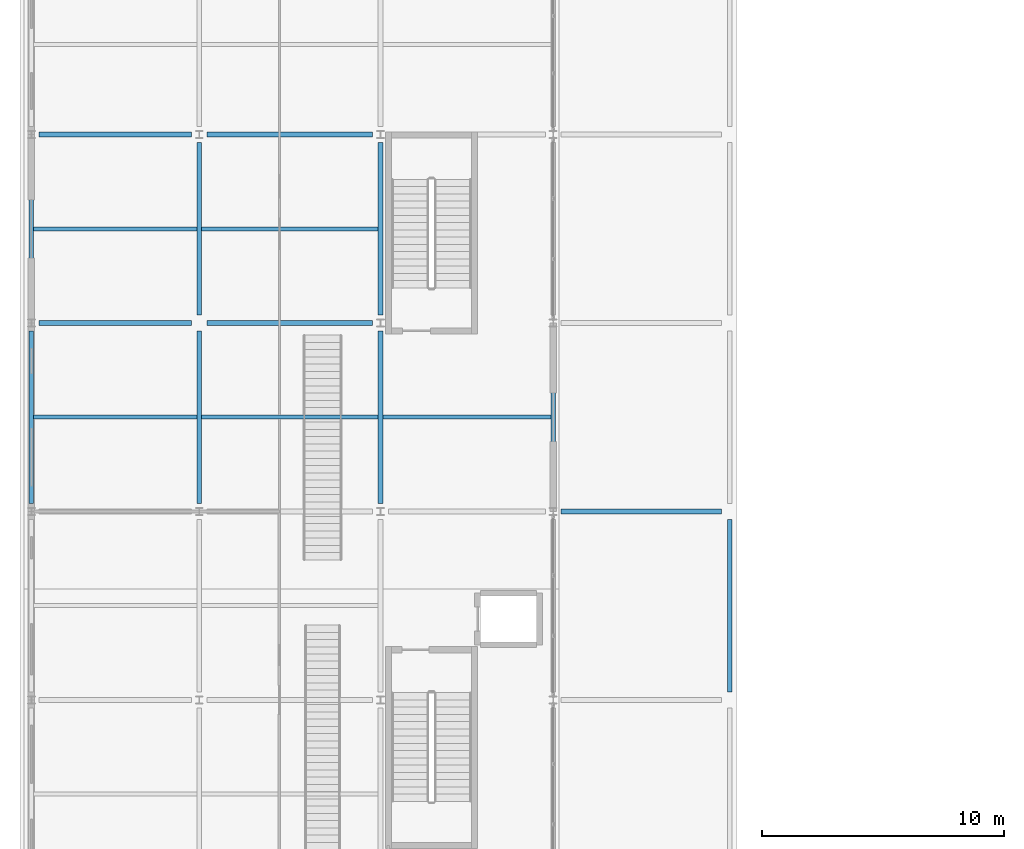
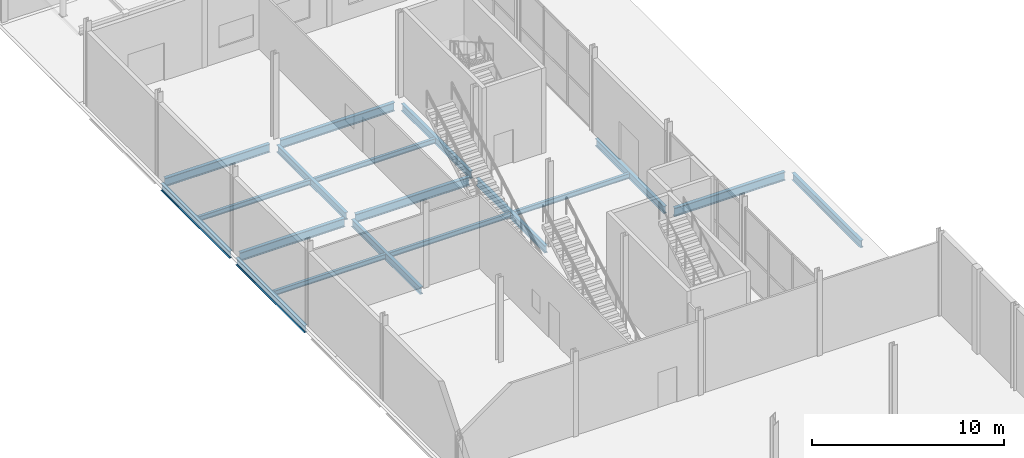
# One storey, part 17 of 83: 18 beams.
"""IFC4 building model written with IfcOpenShell, lengths in metres."""

from ifc_helpers import new_model, si_unit, direction, frame, origin, origin_2d, place, context, subcontext, project, spatial, i_section, extrude, material, material_profile, profile_set, type_object, element, save


model = new_model("IFC4")

# Units and contexts
model_context = context("Model", 3, precision=1e-05, world=origin(), true_north=direction((0.0, 1.0)))
body_context = subcontext(model_context, "Body", "Model", "MODEL_VIEW")
ifc_project = project(units=[si_unit("LENGTHUNIT", "METRE"), si_unit("AREAUNIT", "SQUARE_METRE"), si_unit("VOLUMEUNIT", "CUBIC_METRE"), si_unit("PLANEANGLEUNIT", "RADIAN"), si_unit("MASSUNIT", "GRAM", prefix="KILO")], contexts=[model_context])

# Site, building, storey
site_placement = place(None, origin())
site = spatial("IfcSite", under=ifc_project, at=site_placement, CompositionType="ELEMENT")
building_placement = place(site_placement, origin())
building = spatial("IfcBuilding", under=site, at=building_placement, Name="Quillay Park Conservatory", CompositionType="ELEMENT")
storey_placement = place(building_placement, origin())
storey = spatial("IfcBuildingStorey", under=building, at=storey_placement, Name="L00", CompositionType="ELEMENT", Elevation=0.0)

# Beams
ifc_material_1 = material(Name="Steel ASTM A992 Grade 50", Category="steel")
ifc_material_profile_1 = material_profile(ifc_material_1, i_section(OverallWidth=0.166015625, OverallDepth=0.31298828125, WebThickness=0.006591796875, FlangeThickness=0.01123046875, FilletRadius=0.010009765625, at=origin_2d()), Name="W310x45")
ifc_profile_set_1 = profile_set([ifc_material_profile_1], Name="Steel ASTM A992 Grade 50")
beam_type_1 = type_object("IfcBeamType", Name="COMPOSITE FLOOR JOIST W310 X45", PredefinedType="JOIST", material=ifc_profile_set_1)
beam_1_placement = place(storey_placement, frame((0.64599609375, 35.10009765625, -0.406494140625), z_axis=(1.0, 0.0, 0.0), x_axis=(0.0, 1.0, 0.0)))
element("IfcBeam", 1, at=beam_1_placement, inside=storey, type_object=beam_type_1, Name="L00 beam BM-V3J-1253", PredefinedType="JOIST", context=body_context, shape_type="SweptSolid", body=[
    extrude(i_section(OverallWidth=0.166015625, OverallDepth=0.31298828125, WebThickness=0.006591796875, FlangeThickness=0.01123046875, FilletRadius=0.010009765625, at=origin_2d()), origin(), (0.0, 0.0, 1.0), 6.758056640625),
])
beam_2_placement = place(storey_placement, frame((7.595947265625, 35.10009765625, -0.406494140625), z_axis=(1.0, 0.0, 0.0), x_axis=(0.0, 1.0, 0.0)))
element("IfcBeam", 2, at=beam_2_placement, inside=storey, type_object=beam_type_1, Name="L00 beam BM-V3J-1254", PredefinedType="JOIST", context=body_context, shape_type="SweptSolid", body=[
    extrude(i_section(OverallWidth=0.166015625, OverallDepth=0.31298828125, WebThickness=0.006591796875, FlangeThickness=0.01123046875, FilletRadius=0.010009765625, at=origin_2d()), origin(), (0.0, 0.0, 1.0), 7.30810546875),
])
beam_3_placement = place(storey_placement, frame((15.095947265625, 35.10009765625, -0.406494140625), z_axis=(1.0, 0.0, 0.0), x_axis=(0.0, 1.0, 0.0)))
element("IfcBeam", 3, at=beam_3_placement, inside=storey, type_object=beam_type_1, Name="L00 beam BM-V3J-1255", PredefinedType="JOIST", context=body_context, shape_type="SweptSolid", body=[
    extrude(i_section(OverallWidth=0.166015625, OverallDepth=0.31298828125, WebThickness=0.006591796875, FlangeThickness=0.01123046875, FilletRadius=0.010009765625, at=origin_2d()), origin(), (0.0, 0.0, 1.0), 6.9580078125),
])
beam_4_placement = place(storey_placement, frame((0.64599609375, 42.89990234375, -0.406494140625), z_axis=(1.0, 0.0, 0.0), x_axis=(0.0, 1.0, 0.0)))
element("IfcBeam", 4, at=beam_4_placement, inside=storey, type_object=beam_type_1, Name="L00 beam BM-V3J-1256", PredefinedType="JOIST", context=body_context, shape_type="SweptSolid", body=[
    extrude(i_section(OverallWidth=0.166015625, OverallDepth=0.31298828125, WebThickness=0.006591796875, FlangeThickness=0.01123046875, FilletRadius=0.010009765625, at=origin_2d()), origin(), (0.0, 0.0, 1.0), 6.758056640625),
])
beam_5_placement = place(storey_placement, frame((7.595947265625, 42.89990234375, -0.406494140625), z_axis=(1.0, 0.0, 0.0), x_axis=(0.0, 1.0, 0.0)))
element("IfcBeam", 5, at=beam_5_placement, inside=storey, type_object=beam_type_1, Name="L00 beam BM-V3J-1257", PredefinedType="JOIST", context=body_context, shape_type="SweptSolid", body=[
    extrude(i_section(OverallWidth=0.166015625, OverallDepth=0.31298828125, WebThickness=0.006591796875, FlangeThickness=0.01123046875, FilletRadius=0.010009765625, at=origin_2d()), origin(), (0.0, 0.0, 1.0), 7.30810546875),
])
ifc_material_2 = material(Name="Steel ASTM A992 Grade 50", Category="steel")
ifc_material_profile_2 = material_profile(ifc_material_2, i_section(OverallWidth=0.19189453125, OverallDepth=0.462890625, WebThickness=0.010498046875, FlangeThickness=0.017578125, FilletRadius=0.012939453125, at=origin_2d()), Name="W460x89")
ifc_profile_set_2 = profile_set([ifc_material_profile_2], Name="Steel ASTM A992 Grade 50")
beam_type_2 = type_object("IfcBeamType", Name="PRIMARY FLOOR GIRDER W460 X89", PredefinedType="BEAM", material=ifc_profile_set_2)
for number, where, z_axis, x_axis, name in (
    (6, (0.550048828125, 31.52490234375, -0.4814453125), (0.0, 1.0, 0.0), (-1.0, 0.0, 0.0), "L00 beam BM-V3Y-1212"),
    (7, (0.550048828125, 39.324951171875, -0.4814453125), (0.0, 1.0, 0.0), (-1.0, 0.0, 0.0), "L00 beam BM-V3Y-1213"),
    (8, (7.5, 31.52490234375, -0.4814453125), (0.0, 1.0, 0.0), (-1.0, 0.0, 0.0), "L00 beam BM-V3Y-1219"),
    (9, (7.5, 39.324951171875, -0.4814453125), (0.0, 1.0, 0.0), (-1.0, 0.0, 0.0), "L00 beam BM-V3Y-1220"),
    (10, (15.0, 31.52490234375, -0.4814453125), (0.0, 1.0, 0.0), (-1.0, 0.0, 0.0), "L00 beam BM-V3Y-1226"),
    (11, (15.0, 39.324951171875, -0.4814453125), (0.0, 1.0, 0.0), (-1.0, 0.0, 0.0), "L00 beam BM-V3Y-1227"),
    (12, (22.14990234375, 31.52490234375, -0.4814453125), (0.0, 1.0, 0.0), (-1.0, 0.0, 0.0), "L00 beam BM-V3Y-1233"),
):
    element("IfcBeam", number, at=place(storey_placement, frame(where, z_axis=z_axis, x_axis=x_axis)), inside=storey, type_object=beam_type_2, Name=name, PredefinedType="BEAM", context=body_context, shape_type="SweptSolid", body=[
        extrude(i_section(OverallWidth=0.19189453125, OverallDepth=0.462890625, WebThickness=0.010498046875, FlangeThickness=0.017578125, FilletRadius=0.012939453125, at=origin_2d()), origin(), (0.0, 0.0, 1.0), 7.150146484375),
    ])
beam_6_placement = place(storey_placement, frame((29.449951171875, 23.72509765625, -0.4814453125), z_axis=(0.0, 1.0, 0.0), x_axis=(-1.0, 0.0, 0.0)))
element("IfcBeam", 13, at=beam_6_placement, inside=storey, type_object=beam_type_2, Name="L00 beam BM-V3Y-1239", PredefinedType="BEAM", context=body_context, shape_type="SweptSolid", body=[
    extrude(i_section(OverallWidth=0.19189453125, OverallDepth=0.462890625, WebThickness=0.010498046875, FlangeThickness=0.017578125, FilletRadius=0.012939453125, at=origin_2d()), origin(), (0.0, 0.0, 1.0), 7.14990234375),
])
ifc_material_3 = material(Name="Steel ASTM A992 Grade 50", Category="steel")
ifc_material_profile_3 = material_profile(ifc_material_3, i_section(OverallWidth=0.2109375, OverallDepth=0.5390625, WebThickness=0.01171875, FlangeThickness=0.018798828125, FilletRadius=0.013916015625, at=origin_2d()), Name="W530x109")
ifc_profile_set_3 = profile_set([ifc_material_profile_3], Name="Steel ASTM A992 Grade 50")
beam_type_3 = type_object("IfcBeamType", Name="PRIMARY FLOOR GIRDER W530 X109", PredefinedType="BEAM", material=ifc_profile_set_3)
beam_7_placement = place(storey_placement, frame((22.47509765625, 31.199951171875, -0.51953125), z_axis=(1.0, 0.0, 0.0), x_axis=(0.0, 1.0, 0.0)))
element("IfcBeam", 14, at=beam_7_placement, inside=storey, type_object=beam_type_3, Name="L00 beam BM-V3X-1196", PredefinedType="BEAM", context=body_context, shape_type="SweptSolid", body=[
    extrude(i_section(OverallWidth=0.2109375, OverallDepth=0.5390625, WebThickness=0.01171875, FlangeThickness=0.018798828125, FilletRadius=0.013916015625, at=origin_2d()), origin(), (0.0, 0.0, 1.0), 6.64990234375),
])
beam_8_placement = place(storey_placement, frame((0.875, 39.0, -0.51953125), z_axis=(1.0, 0.0, 0.0), x_axis=(0.0, 1.0, 0.0)))
element("IfcBeam", 15, at=beam_8_placement, inside=storey, type_object=beam_type_3, Name="L00 beam BM-V3X-1197", PredefinedType="BEAM", context=body_context, shape_type="SweptSolid", body=[
    extrude(i_section(OverallWidth=0.2109375, OverallDepth=0.5390625, WebThickness=0.01171875, FlangeThickness=0.018798828125, FilletRadius=0.013916015625, at=origin_2d()), origin(), (0.0, 0.0, 1.0), 6.300048828125),
])
beam_9_placement = place(storey_placement, frame((7.824951171875, 39.0, -0.51953125), z_axis=(1.0, 0.0, 0.0), x_axis=(0.0, 1.0, 0.0)))
element("IfcBeam", 16, at=beam_9_placement, inside=storey, type_object=beam_type_3, Name="L00 beam BM-V3X-1198", PredefinedType="BEAM", context=body_context, shape_type="SweptSolid", body=[
    extrude(i_section(OverallWidth=0.2109375, OverallDepth=0.5390625, WebThickness=0.01171875, FlangeThickness=0.018798828125, FilletRadius=0.013916015625, at=origin_2d()), origin(), (0.0, 0.0, 1.0), 6.85009765625),
])
beam_10_placement = place(storey_placement, frame((0.875, 46.800048828125, -0.51953125), z_axis=(1.0, 0.0, 0.0), x_axis=(0.0, 1.0, 0.0)))
element("IfcBeam", 17, at=beam_10_placement, inside=storey, type_object=beam_type_3, Name="L00 beam BM-V3X-1200", PredefinedType="BEAM", context=body_context, shape_type="SweptSolid", body=[
    extrude(i_section(OverallWidth=0.2109375, OverallDepth=0.5390625, WebThickness=0.01171875, FlangeThickness=0.018798828125, FilletRadius=0.013916015625, at=origin_2d()), origin(), (0.0, 0.0, 1.0), 6.300048828125),
])
beam_11_placement = place(storey_placement, frame((7.824951171875, 46.800048828125, -0.51953125), z_axis=(1.0, 0.0, 0.0), x_axis=(0.0, 1.0, 0.0)))
element("IfcBeam", 18, at=beam_11_placement, inside=storey, type_object=beam_type_3, Name="L00 beam BM-V3X-1201", PredefinedType="BEAM", context=body_context, shape_type="SweptSolid", body=[
    extrude(i_section(OverallWidth=0.2109375, OverallDepth=0.5390625, WebThickness=0.01171875, FlangeThickness=0.018798828125, FilletRadius=0.013916015625, at=origin_2d()), origin(), (0.0, 0.0, 1.0), 6.85009765625),
])

save(model, "model.ifc")
